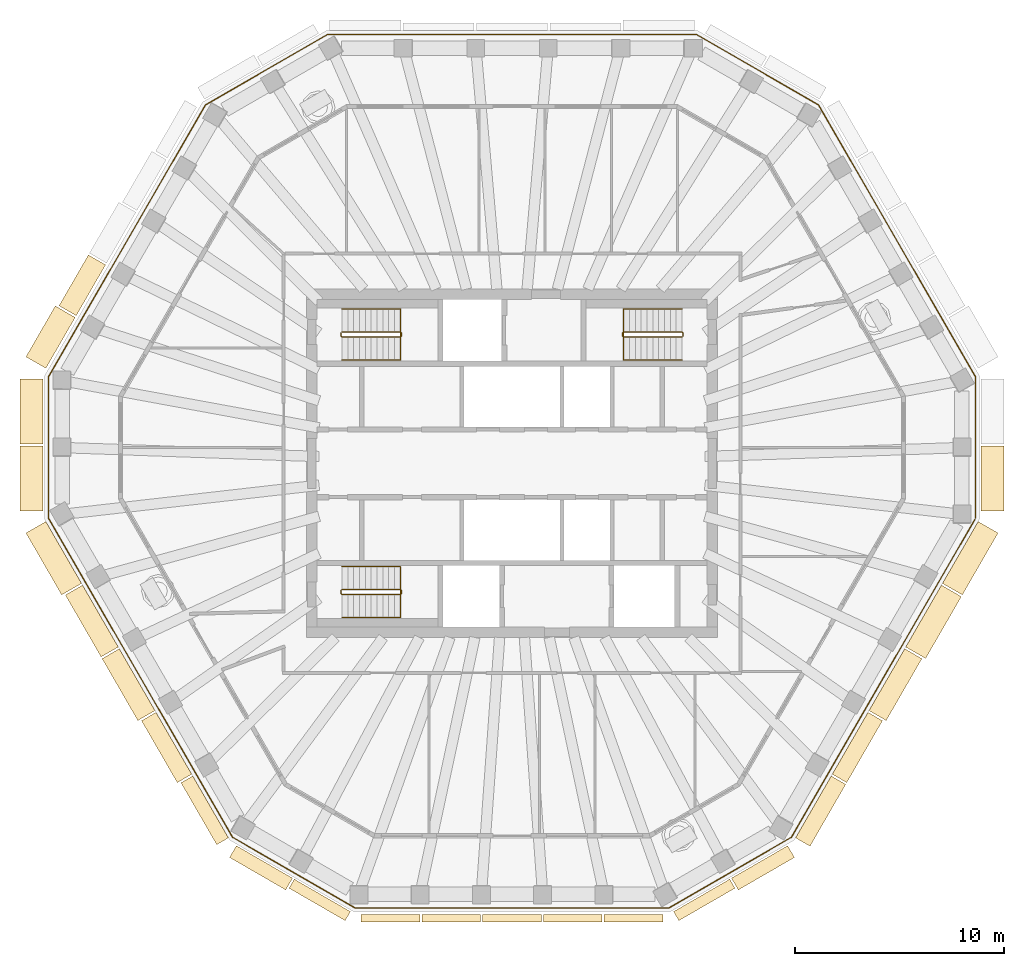
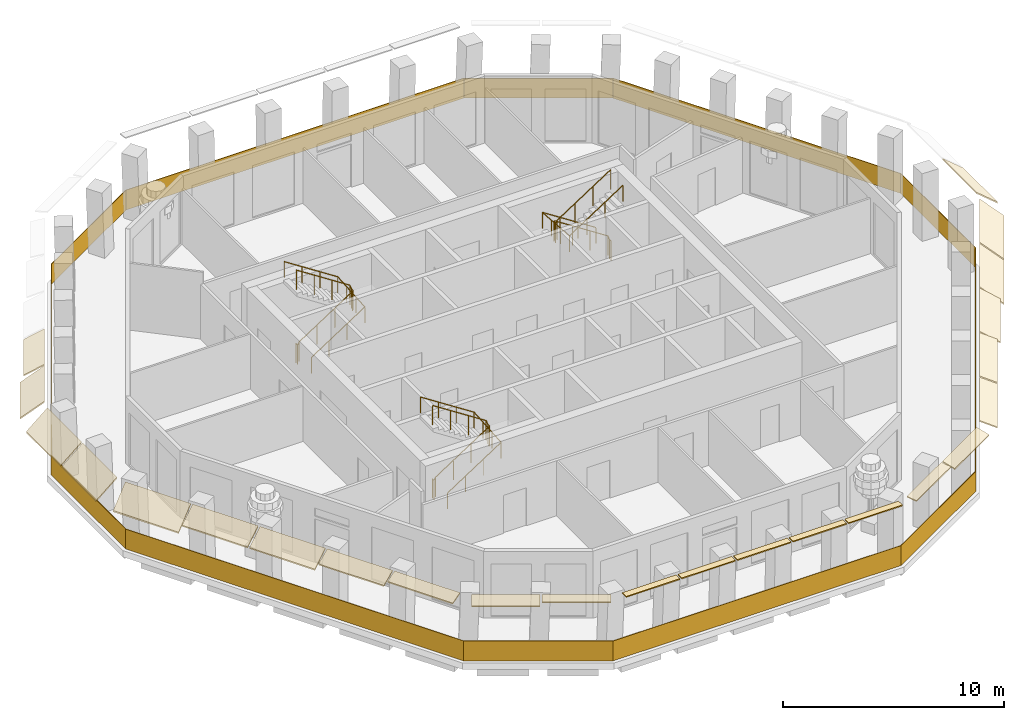
# One storey, part 8 of 11: 24 coverings, 7 railings.
"""IFC4 building model written with IfcOpenShell, lengths in metres."""

from ifc_helpers import new_model, si_unit, direction, frame, origin, origin_2d, place, context, subcontext, project, spatial, polyline, rectangle, circle, outline, extrude, material, layer, layer_set, type_object, element, save


model = new_model("IFC4")

# Units and contexts
model_context = context("Model", 3, precision=1e-05, world=origin(), true_north=direction((0.0, 1.0)))
body_context = subcontext(model_context, "Body", "Model", "MODEL_VIEW")
ifc_project = project(units=[si_unit("LENGTHUNIT", "METRE"), si_unit("AREAUNIT", "SQUARE_METRE"), si_unit("VOLUMEUNIT", "CUBIC_METRE"), si_unit("PLANEANGLEUNIT", "RADIAN"), si_unit("MASSUNIT", "GRAM", prefix="KILO")], contexts=[model_context])

# Site, building, storey
site_placement = place(None, origin())
site = spatial("IfcSite", under=ifc_project, at=site_placement, CompositionType="ELEMENT")
building_placement = place(site_placement, origin())
building = spatial("IfcBuilding", under=site, at=building_placement, Name="Frailejon Research Tower", CompositionType="ELEMENT")
storey_placement = place(building_placement, frame((0.0, 0.0, 332.60009765625)))
storey = spatial("IfcBuildingStorey", under=building, at=storey_placement, Name="L74", CompositionType="ELEMENT", Elevation=332.60009765625)

# Coverings
ifc_material_1 = material(Name="Precast concrete C50/60", Category="concrete")
ifc_layer_1 = layer(ifc_material_1, 0.06005859375)
ifc_layer_set_1 = layer_set([ifc_layer_1], Name="Brim blade depth 1100")
covering_type_1 = type_object("IfcCoveringType", Name="Brim blade depth 1100", PredefinedType="CLADDING", material=ifc_layer_set_1)
covering_1_placement = place(storey_placement, frame((22.485595703125, 0.829833984375, 3.849853515625), z_axis=(0.0, -1.0, 0.0), x_axis=(1.0, 0.0, 0.0)))
element("IfcCovering", 1, at=covering_1_placement, inside=storey, type_object=covering_type_1, Name="Brim blade L74", PredefinedType="CLADDING", context=body_context, shape_type="SweptSolid", body=[
    extrude(outline(polyline([(0.0, -0.078369140625), (1.10009765625, -1.001220703125), (1.10009765625, -0.923095703125), (0.0, 0.0), (0.0, -0.078369140625)])), origin(), (0.0, 0.0, 1.0), 3.10595703125),
])
covering_2_placement = place(storey_placement, frame((-22.3466796875, 4.55419921875, 3.849853515625), z_axis=(0.499988037973, 0.866032309954, 0.0), x_axis=(-0.866032309954, 0.499988037973, 0.0)))
element("IfcCovering", 2, at=covering_2_placement, inside=storey, type_object=covering_type_1, Name="Brim blade L74", PredefinedType="CLADDING", context=body_context, shape_type="SweptSolid", body=[
    extrude(outline(polyline([(0.0, -0.078369140625), (1.10009765625, -1.001220703125), (1.10009765625, -0.923095703125), (0.0, 0.0), (0.0, -0.078369140625)])), origin(), (0.0, 0.0, 1.0), 2.811767578125),
])
covering_3_placement = place(storey_placement, frame((-22.485595703125, 0.929931640625, 3.849853515625), z_axis=(0.0, 1.0, 0.0), x_axis=(-1.0, 0.0, 0.0)))
element("IfcCovering", 3, at=covering_3_placement, inside=storey, type_object=covering_type_1, Name="Brim blade L74", PredefinedType="CLADDING", context=body_context, shape_type="SweptSolid", body=[
    extrude(outline(polyline([(0.0, -0.078369140625), (1.10009765625, -1.001220703125), (1.10009765625, -0.923095703125), (0.0, 0.0), (0.0, -0.078369140625)])), origin(), (0.0, 0.0, 1.0), 3.106201171875),
])
covering_4_placement = place(storey_placement, frame((-22.485595703125, -2.276123046875, 3.849853515625), z_axis=(0.0, 1.0, 0.0), x_axis=(-1.0, 0.0, 0.0)))
element("IfcCovering", 4, at=covering_4_placement, inside=storey, type_object=covering_type_1, Name="Brim blade L74", PredefinedType="CLADDING", context=body_context, shape_type="SweptSolid", body=[
    extrude(outline(polyline([(0.0, -0.078369140625), (1.10009765625, -1.001220703125), (1.10009765625, -0.923095703125), (0.0, 0.0), (0.0, -0.078369140625)])), origin(), (0.0, 0.0, 1.0), 3.10595703125),
])
for number, where, z_axis, x_axis, name in (
    (5, (-20.635986328125, -5.75732421875, 3.849853515625), (-0.49998138882, 0.866036148688, 0.0), (-0.866036148688, -0.49998138882, 0.0), "Brim blade L74"),
    (6, (20.5859375, -5.843994140625, 3.849853515625), (-0.500014985008, -0.866016752013, 0.0), (0.866016752013, -0.500014985008, 0.0), "Brim blade L74"),
    (7, (22.3466796875, -2.79443359375, 3.849853515625), (-0.49998138882, -0.866036148688, 0.0), (0.866036148688, -0.49998138882, 0.0), "Brim blade L74"),
):
    element("IfcCovering", number, at=place(storey_placement, frame(where, z_axis=z_axis, x_axis=x_axis)), inside=storey, type_object=covering_type_1, Name=name, PredefinedType="CLADDING", context=body_context, shape_type="SweptSolid", body=[
        extrude(outline(polyline([(0.0, -0.078369140625), (1.10009765625, -1.001220703125), (1.10009765625, -0.923095703125), (0.0, 0.0), (0.0, -0.078369140625)])), origin(), (0.0, 0.0, 1.0), 3.42138671875),
    ])
ifc_material_2 = material(Name="Precast concrete C50/60", Category="concrete")
ifc_layer_2 = layer(ifc_material_2, 0.06005859375)
ifc_layer_set_2 = layer_set([ifc_layer_2], Name="Brim blade depth 350")
covering_type_2 = type_object("IfcCoveringType", Name="Brim blade depth 350", PredefinedType="CLADDING", material=ifc_layer_set_2)
for number, where, z_axis, x_axis, name in (
    (8, (-4.41748046875, -21.6298828125, 3.849853515625), (-1.0, 0.0, 0.0), (0.0, -1.0, 0.0), "Brim blade L74"),
    (9, (-1.505859375, -21.6298828125, 3.849853515625), (-1.0, 0.0, 0.0), (0.0, -1.0, 0.0), "Brim blade L74"),
):
    element("IfcCovering", number, at=place(storey_placement, frame(where, z_axis=z_axis, x_axis=x_axis)), inside=storey, type_object=covering_type_2, Name=name, PredefinedType="CLADDING", context=body_context, shape_type="SweptSolid", body=[
        extrude(outline(polyline([(0.0, -0.06005859375), (0.35009765625, -0.06005859375), (0.35009765625, 0.0), (0.0, 0.0), (0.0, -0.06005859375)])), origin(), (0.0, 0.0, 1.0), 2.811767578125),
    ])
covering_5_placement = place(storey_placement, frame((1.40576171875, -21.6298828125, 3.849853515625), z_axis=(-1.0, 0.0, 0.0), x_axis=(0.0, -1.0, 0.0)))
element("IfcCovering", 10, at=covering_5_placement, inside=storey, type_object=covering_type_2, Name="Brim blade L74", PredefinedType="CLADDING", context=body_context, shape_type="SweptSolid", body=[
    extrude(outline(polyline([(0.0, -0.06005859375), (0.35009765625, -0.06005859375), (0.35009765625, 0.0), (0.0, 0.0), (0.0, -0.06005859375)])), origin(), (0.0, 0.0, 1.0), 2.8115234375),
])
for number, where, z_axis, x_axis, name in (
    (11, (4.3173828125, -21.6298828125, 3.849853515625), (-1.0, 0.0, 0.0), (0.0, -1.0, 0.0), "Brim blade L74"),
    (12, (7.229248046875, -21.6298828125, 3.849853515625), (-1.0, 0.0, 0.0), (0.0, -1.0, 0.0), "Brim blade L74"),
):
    element("IfcCovering", number, at=place(storey_placement, frame(where, z_axis=z_axis, x_axis=x_axis)), inside=storey, type_object=covering_type_2, Name=name, PredefinedType="CLADDING", context=body_context, shape_type="SweptSolid", body=[
        extrude(outline(polyline([(0.0, -0.06005859375), (0.35009765625, -0.06005859375), (0.35009765625, 0.0), (0.0, 0.0), (0.0, -0.06005859375)])), origin(), (0.0, 0.0, 1.0), 2.811767578125),
    ])
ifc_material_3 = material(Name="Precast concrete C50/60", Category="concrete")
ifc_layer_3 = layer(ifc_material_3, 0.06005859375)
ifc_layer_set_3 = layer_set([ifc_layer_3], Name="Brim blade depth 500")
covering_type_3 = type_object("IfcCoveringType", Name="Brim blade depth 500", PredefinedType="CLADDING", material=ifc_layer_set_3)
for number, where, z_axis, x_axis, name in (
    (13, (-7.74755859375, -21.490966796875, 3.849853515625), (-0.86602716254, 0.499996953734, 0.0), (-0.499996953734, -0.86602716254, 0.0), "Brim blade L74"),
    (14, (10.4375, -19.93798828125, 3.849853515625), (-0.86602716254, -0.499996953734, 0.0), (0.499996953734, -0.86602716254, 0.0), "Brim blade L74"),
):
    element("IfcCovering", number, at=place(storey_placement, frame(where, z_axis=z_axis, x_axis=x_axis)), inside=storey, type_object=covering_type_3, Name=name, PredefinedType="CLADDING", context=body_context, shape_type="SweptSolid", body=[
        extrude(outline(polyline([(0.0, -0.060546875), (0.5, -0.130859375), (0.5, -0.0703125), (0.0, 0.0), (0.0, -0.060546875)])), origin(), (0.0, 0.0, 1.0), 3.10595703125),
    ])
ifc_material_4 = material(Name="Precast concrete C50/60", Category="concrete")
ifc_layer_4 = layer(ifc_material_4, 0.06005859375)
ifc_layer_set_4 = layer_set([ifc_layer_4], Name="Brim blade depth 650")
covering_type_4 = type_object("IfcCoveringType", Name="Brim blade depth 650", PredefinedType="CLADDING", material=ifc_layer_set_4)
covering_6_placement = place(storey_placement, frame((-13.593505859375, -17.95556640625, 3.849853515625), z_axis=(-0.49998138882, 0.866036148688, 0.0), x_axis=(-0.866036148688, -0.49998138882, 0.0)))
element("IfcCovering", 15, at=covering_6_placement, inside=storey, type_object=covering_type_4, Name="Brim blade L74", PredefinedType="CLADDING", context=body_context, shape_type="SweptSolid", body=[
    extrude(outline(polyline([(0.0, -0.0625), (0.64990234375, -0.248779296875), (0.64990234375, -0.186279296875), (0.0, 0.0), (0.0, -0.0625)])), origin(), (0.0, 0.0, 1.0), 3.42138671875),
])
for number, where, z_axis, x_axis, name in (
    (16, (-10.52392578125, -19.887939453125, 3.849853515625), (-0.866034959906, 0.499983447946, 0.0), (-0.499983447946, -0.866034959906, 0.0), "Brim blade L74"),
    (17, (13.214111328125, -18.3349609375, 3.849853515625), (-0.866034959906, -0.499983447946, 0.0), (0.499983447946, -0.866034959906, 0.0), "Brim blade L74"),
):
    element("IfcCovering", number, at=place(storey_placement, frame(where, z_axis=z_axis, x_axis=x_axis)), inside=storey, type_object=covering_type_4, Name=name, PredefinedType="CLADDING", context=body_context, shape_type="SweptSolid", body=[
        extrude(outline(polyline([(0.0, -0.0625), (0.64990234375, -0.248779296875), (0.64990234375, -0.186279296875), (0.0, 0.0), (0.0, -0.0625)])), origin(), (0.0, 0.0, 1.0), 3.106201171875),
    ])
ifc_material_5 = material(Name="Precast concrete C50/60", Category="concrete")
ifc_layer_5 = layer(ifc_material_5, 0.06005859375)
ifc_layer_set_5 = layer_set([ifc_layer_5], Name="Brim blade depth 800")
covering_type_5 = type_object("IfcCoveringType", Name="Brim blade depth 800", PredefinedType="CLADDING", material=ifc_layer_set_5)
for number, where, z_axis, x_axis, name in (
    (18, (-15.35400390625, -14.906005859375, 3.849853515625), (-0.500014985008, 0.866016752013, 0.0), (-0.866016752013, -0.500014985008, 0.0), "Brim blade L74"),
    (19, (15.303955078125, -14.99267578125, 3.849853515625), (-0.49998138882, -0.866036148688, 0.0), (0.866036148688, -0.49998138882, 0.0), "Brim blade L74"),
    (20, (17.064697265625, -11.943115234375, 3.849853515625), (-0.500014985008, -0.866016752013, 0.0), (0.866016752013, -0.500014985008, 0.0), "Brim blade L74"),
):
    element("IfcCovering", number, at=place(storey_placement, frame(where, z_axis=z_axis, x_axis=x_axis)), inside=storey, type_object=covering_type_5, Name=name, PredefinedType="CLADDING", context=body_context, shape_type="SweptSolid", body=[
        extrude(outline(polyline([(0.0, -0.065673828125), (0.800048828125, -0.421875), (0.800048828125, -0.356201171875), (0.0, 0.0), (0.0, -0.065673828125)])), origin(), (0.0, 0.0, 1.0), 3.42138671875),
    ])
ifc_material_6 = material(Name="Precast concrete C50/60", Category="concrete")
ifc_layer_6 = layer(ifc_material_6, 0.06005859375)
ifc_layer_set_6 = layer_set([ifc_layer_6], Name="Brim blade depth 950")
covering_type_6 = type_object("IfcCoveringType", Name="Brim blade depth 950", PredefinedType="CLADDING", material=ifc_layer_set_6)
covering_7_placement = place(storey_placement, frame((-20.890869140625, 7.075927734375, 3.849853515625), z_axis=(0.499988037973, 0.866032309954, 0.0), x_axis=(-0.866032309954, 0.499988037973, 0.0)))
element("IfcCovering", 21, at=covering_7_placement, inside=storey, type_object=covering_type_6, Name="Brim blade L74", PredefinedType="CLADDING", context=body_context, shape_type="SweptSolid", body=[
    extrude(outline(polyline([(0.0, -0.07080078125), (0.949951171875, -0.664306640625), (0.949951171875, -0.593505859375), (0.0, 0.0), (0.0, -0.07080078125)])), origin(), (0.0, 0.0, 1.0), 2.811767578125),
])
for number, where, z_axis, x_axis, name in (
    (22, (-18.875244140625, -8.806884765625, 3.849853515625), (-0.500014985008, 0.866016752013, 0.0), (-0.866016752013, -0.500014985008, 0.0), "Brim blade L74"),
    (23, (-17.11474609375, -11.8564453125, 3.849853515625), (-0.49998138882, 0.866036148688, 0.0), (-0.866036148688, -0.49998138882, 0.0), "Brim blade L74"),
    (24, (18.8251953125, -8.8935546875, 3.849853515625), (-0.49998138882, -0.866036148688, 0.0), (0.866036148688, -0.49998138882, 0.0), "Brim blade L74"),
):
    element("IfcCovering", number, at=place(storey_placement, frame(where, z_axis=z_axis, x_axis=x_axis)), inside=storey, type_object=covering_type_6, Name=name, PredefinedType="CLADDING", context=body_context, shape_type="SweptSolid", body=[
        extrude(outline(polyline([(0.0, -0.07080078125), (0.949951171875, -0.664306640625), (0.949951171875, -0.593505859375), (0.0, 0.0), (0.0, -0.07080078125)])), origin(), (0.0, 0.0, 1.0), 3.42138671875),
    ])

# Railings
ifc_material_7 = material(Name="Laminated glass balustrade", Category="glass")
railing_type_1 = type_object("IfcRailingType", Name="Glass guard 1100", PredefinedType="GUARDRAIL", material=ifc_material_7)
railing_1_placement = place(storey_placement, frame((22.22412109375, -2.62890625, 0.0)))
element("IfcRailing", 25, at=railing_1_placement, inside=storey, type_object=railing_type_1, Name="Loggia guard L74", PredefinedType="GUARDRAIL", context=body_context, shape_type="SweptSolid", body=[
    extrude(rectangle(XDim=6.766357421875, YDim=0.030029296875, at=origin_2d()), frame((0.0, 3.38330078125, 0.0), z_axis=(0.0, 0.0, 1.0), x_axis=(0.0, 1.0, 0.0)), (0.0, 0.0, 1.0), 1.10009765625),
    extrude(rectangle(XDim=15.057861328125, YDim=0.030029296875, at=origin_2d()), frame((-3.764404296875, 13.28662109375, 0.0), z_axis=(0.0, 0.0, 1.0), x_axis=(-0.49999285859, 0.86602952684, 0.0)), (0.0, 0.0, 1.0), 1.10009765625),
    extrude(rectangle(XDim=6.7666015625, YDim=0.030029296875, at=origin_2d()), frame((-10.458984375, 21.49853515625, 0.0), z_axis=(0.0, 0.0, 1.0), x_axis=(-0.866043190618, 0.499969191034, 0.0)), (0.0, 0.0, 1.0), 1.10009765625),
    extrude(rectangle(XDim=17.67041015625, YDim=0.030029296875, at=origin_2d()), frame((-22.22412109375, 23.18994140625, 0.0), z_axis=(0.0, 0.0, 1.0), x_axis=(-1.0, 0.0, 0.0)), (0.0, 0.0, 1.0), 1.10009765625),
    extrude(rectangle(XDim=6.7666015625, YDim=0.030029296875, at=origin_2d()), frame((-33.9892578125, 21.49853515625, 0.0), z_axis=(0.0, 0.0, 1.0), x_axis=(-0.866043190618, -0.499969191034, 0.0)), (0.0, 0.0, 1.0), 1.10009765625),
    extrude(rectangle(XDim=15.057861328125, YDim=0.030029296875, at=origin_2d()), frame((-40.683837890625, 13.28662109375, 0.0), z_axis=(0.0, 0.0, 1.0), x_axis=(-0.49999285859, -0.86602952684, 0.0)), (0.0, 0.0, 1.0), 1.10009765625),
    extrude(rectangle(XDim=6.766357421875, YDim=0.030029296875, at=origin_2d()), frame((-44.4482421875, 3.38330078125, 0.0), z_axis=(0.0, 0.0, 1.0), x_axis=(0.0, -1.0, 0.0)), (0.0, 0.0, 1.0), 1.10009765625),
    extrude(rectangle(XDim=17.670654296875, YDim=0.030029296875, at=origin_2d()), frame((-40.03076171875, -7.651611328125, 0.0), z_axis=(0.0, 0.0, 1.0), x_axis=(0.499995134196, -0.866028213039, 0.0)), (0.0, 0.0, 1.0), 1.10009765625),
    extrude(rectangle(XDim=6.7666015625, YDim=0.030029296875, at=origin_2d()), frame((-32.68310546875, -16.994873046875, 0.0), z_axis=(0.0, 0.0, 1.0), x_axis=(0.866027567751, -0.499996251881, 0.0)), (0.0, 0.0, 1.0), 1.10009765625),
    extrude(rectangle(XDim=15.0576171875, YDim=0.030029296875, at=origin_2d()), frame((-22.22412109375, -18.6865234375, 0.0), z_axis=(0.0, 0.0, 1.0), x_axis=(1.0, 0.0, 0.0)), (0.0, 0.0, 1.0), 1.10009765625),
    extrude(rectangle(XDim=6.7666015625, YDim=0.030029296875, at=origin_2d()), frame((-11.76513671875, -16.994873046875, 0.0), z_axis=(0.0, 0.0, 1.0), x_axis=(0.866027567751, 0.499996251881, 0.0)), (0.0, 0.0, 1.0), 1.10009765625),
    extrude(rectangle(XDim=17.6005859375, YDim=0.030029296875, at=origin_2d()), frame((-4.43505859375, -7.68212890625, 0.0), z_axis=(0.0, 0.0, 1.0), x_axis=(0.50000302369, 0.866023658049, 0.0)), (0.0, 0.0, 1.0), 1.10009765625),
])
ifc_material_8 = material(Name="Stainless steel", Category="steel")
railing_type_2 = type_object("IfcRailingType", Name="Stair guard 1100", PredefinedType="GUARDRAIL", material=ifc_material_8)
railing_2_placement = place(storey_placement, frame((-8.199951171875, 6.25, 0.0)))
element("IfcRailing", 26, at=railing_2_placement, inside=storey, type_object=railing_type_2, Name="L74 ST1 stair guard 1", PredefinedType="GUARDRAIL", context=body_context, shape_type="SweptSolid", body=[
    extrude(circle(Radius=0.02392578125, at=origin_2d()), frame((0.0, 0.0, 1.076171875), z_axis=(0.0, -1.0, 0.0), x_axis=(1.0, 0.0, 0.0)), (0.0, 0.0, 1.0), 0.14990234375),
    extrude(circle(Radius=0.02392578125, at=origin_2d()), frame((0.0, -0.14990234375, 1.076171875), z_axis=(0.256734642926, -0.256734642926, 0.931758899203), x_axis=(0.707106781187, 0.707106781187, 0.0)), (0.0, 0.0, 1.0), 0.19482421875),
    extrude(circle(Radius=0.02392578125, at=origin_2d()), frame((0.050048828125, -0.199951171875, 1.2578125), z_axis=(0.838650734948, 0.0, 0.544669573936), x_axis=(0.0, 1.0, 0.0)), (0.0, 0.0, 1.0), 3.33837890625),
    extrude(circle(Radius=0.02392578125, at=origin_2d()), frame((2.849853515625, -0.199951171875, 3.076171875), z_axis=(0.707106781187, 0.707106781187, 0.0), x_axis=(-0.707106781187, 0.707106781187, 0.0)), (0.0, 0.0, 1.0), 0.07080078125),
    extrude(circle(Radius=0.02392578125, at=origin_2d()), frame((2.89990234375, -0.14990234375, 3.076171875), z_axis=(0.0, 1.0, 0.0), x_axis=(-1.0, 0.0, 0.0)), (0.0, 0.0, 1.0), 0.14990234375),
    extrude(circle(Radius=0.02392578125, at=origin_2d()), frame((2.89990234375, 0.0, 3.076171875), z_axis=(-0.256734642926, 0.256734642926, 0.931758899203), x_axis=(-0.707106781187, -0.707106781187, 0.0)), (0.0, 0.0, 1.0), 0.19482421875),
    extrude(circle(Radius=0.02392578125, at=origin_2d()), frame((2.849853515625, 0.050048828125, 3.2578125), z_axis=(-0.838650734948, 0.0, 0.544669573936), x_axis=(0.0, -1.0, 0.0)), (0.0, 0.0, 1.0), 3.33837890625),
    extrude(circle(Radius=0.02099609375, at=origin_2d()), origin(), (0.0, 0.0, 1.0), 1.052001953125),
    extrude(circle(Radius=0.02099609375, at=origin_2d()), frame((0.0, -0.14990234375, 0.0)), (0.0, 0.0, 1.0), 1.052001953125),
    extrude(circle(Radius=0.02099609375, at=origin_2d()), frame((0.050048828125, -0.199951171875, 0.181640625)), (0.0, 0.0, 1.0), 1.052001953125),
    extrude(circle(Radius=0.02099609375, at=origin_2d()), frame((0.9833984375, -0.199951171875, 0.787841796875)), (0.0, 0.0, 1.0), 1.052001953125),
    extrude(circle(Radius=0.02099609375, at=origin_2d()), frame((1.91650390625, -0.199951171875, 1.393798828125)), (0.0, 0.0, 1.0), 1.052001953125),
    extrude(circle(Radius=0.02099609375, at=origin_2d()), frame((2.849853515625, -0.199951171875, 2.0)), (0.0, 0.0, 1.0), 1.052001953125),
    extrude(circle(Radius=0.02099609375, at=origin_2d()), frame((2.89990234375, -0.14990234375, 2.0)), (0.0, 0.0, 1.0), 1.052001953125),
    extrude(circle(Radius=0.02099609375, at=origin_2d()), frame((2.89990234375, 0.0, 2.0)), (0.0, 0.0, 1.0), 1.052001953125),
    extrude(circle(Radius=0.02099609375, at=origin_2d()), frame((2.849853515625, 0.050048828125, 2.181640625)), (0.0, 0.0, 1.0), 1.052001953125),
    extrude(circle(Radius=0.02099609375, at=origin_2d()), frame((1.91650390625, 0.050048828125, 2.787841796875)), (0.0, 0.0, 1.0), 1.052001953125),
    extrude(circle(Radius=0.02099609375, at=origin_2d()), frame((0.9833984375, 0.050048828125, 3.393798828125)), (0.0, 0.0, 1.0), 1.052001953125),
    extrude(circle(Radius=0.02099609375, at=origin_2d()), frame((0.050048828125, 0.050048828125, 4.0)), (0.0, 0.0, 1.0), 1.052001953125),
])
railing_3_placement = place(storey_placement, frame((-8.199951171875, -6.10009765625, 0.0)))
element("IfcRailing", 27, at=railing_3_placement, inside=storey, type_object=railing_type_2, Name="L74 ST2 stair guard 1", PredefinedType="GUARDRAIL", context=body_context, shape_type="SweptSolid", body=[
    extrude(circle(Radius=0.02392578125, at=origin_2d()), frame((0.0, 0.0, 1.076171875), z_axis=(0.0, -1.0, 0.0), x_axis=(1.0, 0.0, 0.0)), (0.0, 0.0, 1.0), 0.14990234375),
    extrude(circle(Radius=0.02392578125, at=origin_2d()), frame((0.0, -0.14990234375, 1.076171875), z_axis=(0.256734642926, -0.256734642926, 0.931758899203), x_axis=(0.707106781187, 0.707106781187, 0.0)), (0.0, 0.0, 1.0), 0.19482421875),
    extrude(circle(Radius=0.02392578125, at=origin_2d()), frame((0.050048828125, -0.199951171875, 1.2578125), z_axis=(0.838650734948, 0.0, 0.544669573936), x_axis=(0.0, 1.0, 0.0)), (0.0, 0.0, 1.0), 3.33837890625),
    extrude(circle(Radius=0.02392578125, at=origin_2d()), frame((2.849853515625, -0.199951171875, 3.076171875), z_axis=(0.707106781187, 0.707106781187, 0.0), x_axis=(-0.707106781187, 0.707106781187, 0.0)), (0.0, 0.0, 1.0), 0.07080078125),
    extrude(circle(Radius=0.02392578125, at=origin_2d()), frame((2.89990234375, -0.14990234375, 3.076171875), z_axis=(0.0, 1.0, 0.0), x_axis=(-1.0, 0.0, 0.0)), (0.0, 0.0, 1.0), 0.14990234375),
    extrude(circle(Radius=0.02392578125, at=origin_2d()), frame((2.89990234375, 0.0, 3.076171875), z_axis=(-0.256734642926, 0.256734642926, 0.931758899203), x_axis=(-0.707106781187, -0.707106781187, 0.0)), (0.0, 0.0, 1.0), 0.19482421875),
    extrude(circle(Radius=0.02392578125, at=origin_2d()), frame((2.849853515625, 0.050048828125, 3.2578125), z_axis=(-0.838650734948, 0.0, 0.544669573936), x_axis=(0.0, -1.0, 0.0)), (0.0, 0.0, 1.0), 3.33837890625),
    extrude(circle(Radius=0.02099609375, at=origin_2d()), origin(), (0.0, 0.0, 1.0), 1.052001953125),
    extrude(circle(Radius=0.02099609375, at=origin_2d()), frame((0.0, -0.14990234375, 0.0)), (0.0, 0.0, 1.0), 1.052001953125),
    extrude(circle(Radius=0.02099609375, at=origin_2d()), frame((0.050048828125, -0.199951171875, 0.181640625)), (0.0, 0.0, 1.0), 1.052001953125),
    extrude(circle(Radius=0.02099609375, at=origin_2d()), frame((0.9833984375, -0.199951171875, 0.787841796875)), (0.0, 0.0, 1.0), 1.052001953125),
    extrude(circle(Radius=0.02099609375, at=origin_2d()), frame((1.91650390625, -0.199951171875, 1.393798828125)), (0.0, 0.0, 1.0), 1.052001953125),
    extrude(circle(Radius=0.02099609375, at=origin_2d()), frame((2.849853515625, -0.199951171875, 2.0)), (0.0, 0.0, 1.0), 1.052001953125),
    extrude(circle(Radius=0.02099609375, at=origin_2d()), frame((2.89990234375, -0.14990234375, 2.0)), (0.0, 0.0, 1.0), 1.052001953125),
    extrude(circle(Radius=0.02099609375, at=origin_2d()), frame((2.89990234375, 0.0, 2.0)), (0.0, 0.0, 1.0), 1.052001953125),
    extrude(circle(Radius=0.02099609375, at=origin_2d()), frame((2.849853515625, 0.050048828125, 2.181640625)), (0.0, 0.0, 1.0), 1.052001953125),
    extrude(circle(Radius=0.02099609375, at=origin_2d()), frame((1.91650390625, 0.050048828125, 2.787841796875)), (0.0, 0.0, 1.0), 1.052001953125),
    extrude(circle(Radius=0.02099609375, at=origin_2d()), frame((0.9833984375, 0.050048828125, 3.393798828125)), (0.0, 0.0, 1.0), 1.052001953125),
    extrude(circle(Radius=0.02099609375, at=origin_2d()), frame((0.050048828125, 0.050048828125, 4.0)), (0.0, 0.0, 1.0), 1.052001953125),
])
railing_4_placement = place(storey_placement, frame((8.199951171875, 6.10009765625, 0.0)))
element("IfcRailing", 28, at=railing_4_placement, inside=storey, type_object=railing_type_2, Name="L74 ST3 stair guard 1", PredefinedType="GUARDRAIL", context=body_context, shape_type="SweptSolid", body=[
    extrude(circle(Radius=0.02392578125, at=origin_2d()), frame((0.0, 0.0, 1.076171875), z_axis=(0.0, 1.0, 0.0), x_axis=(-1.0, 0.0, 0.0)), (0.0, 0.0, 1.0), 0.14990234375),
    extrude(circle(Radius=0.02392578125, at=origin_2d()), frame((0.0, 0.14990234375, 1.076171875), z_axis=(-0.256734642926, 0.256734642926, 0.931758899203), x_axis=(-0.707106781187, -0.707106781187, 0.0)), (0.0, 0.0, 1.0), 0.19482421875),
    extrude(circle(Radius=0.02392578125, at=origin_2d()), frame((-0.050048828125, 0.199951171875, 1.2578125), z_axis=(-0.838650734948, 0.0, 0.544669573936), x_axis=(0.0, -1.0, 0.0)), (0.0, 0.0, 1.0), 3.33837890625),
    extrude(circle(Radius=0.02392578125, at=origin_2d()), frame((-2.849853515625, 0.199951171875, 3.076171875), z_axis=(-0.707106781187, -0.707106781187, 0.0), x_axis=(0.707106781187, -0.707106781187, 0.0)), (0.0, 0.0, 1.0), 0.07080078125),
    extrude(circle(Radius=0.02392578125, at=origin_2d()), frame((-2.89990234375, 0.14990234375, 3.076171875), z_axis=(0.0, -1.0, 0.0), x_axis=(1.0, 0.0, 0.0)), (0.0, 0.0, 1.0), 0.14990234375),
    extrude(circle(Radius=0.02392578125, at=origin_2d()), frame((-2.89990234375, 0.0, 3.076171875), z_axis=(0.256734642926, -0.256734642926, 0.931758899203), x_axis=(0.707106781187, 0.707106781187, 0.0)), (0.0, 0.0, 1.0), 0.19482421875),
    extrude(circle(Radius=0.02392578125, at=origin_2d()), frame((-2.849853515625, -0.050048828125, 3.2578125), z_axis=(0.838650734948, 0.0, 0.544669573936), x_axis=(0.0, 1.0, 0.0)), (0.0, 0.0, 1.0), 3.33837890625),
    extrude(circle(Radius=0.02099609375, at=origin_2d()), origin(), (0.0, 0.0, 1.0), 1.052001953125),
    extrude(circle(Radius=0.02099609375, at=origin_2d()), frame((0.0, 0.14990234375, 0.0)), (0.0, 0.0, 1.0), 1.052001953125),
    extrude(circle(Radius=0.02099609375, at=origin_2d()), frame((-0.050048828125, 0.199951171875, 0.181640625)), (0.0, 0.0, 1.0), 1.052001953125),
    extrude(circle(Radius=0.02099609375, at=origin_2d()), frame((-0.9833984375, 0.199951171875, 0.787841796875)), (0.0, 0.0, 1.0), 1.052001953125),
    extrude(circle(Radius=0.02099609375, at=origin_2d()), frame((-1.91650390625, 0.199951171875, 1.393798828125)), (0.0, 0.0, 1.0), 1.052001953125),
    extrude(circle(Radius=0.02099609375, at=origin_2d()), frame((-2.849853515625, 0.199951171875, 2.0)), (0.0, 0.0, 1.0), 1.052001953125),
    extrude(circle(Radius=0.02099609375, at=origin_2d()), frame((-2.89990234375, 0.14990234375, 2.0)), (0.0, 0.0, 1.0), 1.052001953125),
    extrude(circle(Radius=0.02099609375, at=origin_2d()), frame((-2.89990234375, 0.0, 2.0)), (0.0, 0.0, 1.0), 1.052001953125),
    extrude(circle(Radius=0.02099609375, at=origin_2d()), frame((-2.849853515625, -0.050048828125, 2.181640625)), (0.0, 0.0, 1.0), 1.052001953125),
    extrude(circle(Radius=0.02099609375, at=origin_2d()), frame((-1.91650390625, -0.050048828125, 2.787841796875)), (0.0, 0.0, 1.0), 1.052001953125),
    extrude(circle(Radius=0.02099609375, at=origin_2d()), frame((-0.9833984375, -0.050048828125, 3.393798828125)), (0.0, 0.0, 1.0), 1.052001953125),
    extrude(circle(Radius=0.02099609375, at=origin_2d()), frame((-0.050048828125, -0.050048828125, 4.0)), (0.0, 0.0, 1.0), 1.052001953125),
])
ifc_material_9 = material(Name="Stainless steel", Category="steel")
railing_type_3 = type_object("IfcRailingType", Name="Stair handrail 900", PredefinedType="HANDRAIL", material=ifc_material_9)
railing_5_placement = place(storey_placement, frame((-8.14990234375, 4.949951171875, 0.181640625)))
element("IfcRailing", 29, at=railing_5_placement, inside=storey, type_object=railing_type_3, Name="L74 ST1 stair handrail 1", PredefinedType="HANDRAIL", context=body_context, shape_type="SweptSolid", body=[
    extrude(circle(Radius=0.02392578125, at=origin_2d()), frame((0.0, 0.0, 0.8759765625), z_axis=(0.838650734948, 0.0, 0.544669573936), x_axis=(0.0, 1.0, 0.0)), (0.0, 0.0, 1.0), 3.33837890625),
    extrude(circle(Radius=0.02392578125, at=origin_2d()), frame((2.7998046875, 0.0, 2.6943359375), z_axis=(0.0, 0.997262871482, 0.073937576122), x_axis=(-1.0, 0.0, 0.0)), (0.0, 0.0, 1.0), 2.456787109375),
    extrude(circle(Radius=0.02392578125, at=origin_2d()), frame((2.7998046875, 2.449951171875, 2.8759765625), z_axis=(-0.838650734948, 0.0, 0.544669573936), x_axis=(0.0, -1.0, 0.0)), (0.0, 0.0, 1.0), 3.33837890625),
    extrude(circle(Radius=0.02099609375, at=origin_2d()), origin(), (0.0, 0.0, 1.0), 0.851806640625),
    extrude(circle(Radius=0.02099609375, at=origin_2d()), frame((0.933349609375, 0.0, 0.606201171875)), (0.0, 0.0, 1.0), 0.851806640625),
    extrude(circle(Radius=0.02099609375, at=origin_2d()), frame((1.866455078125, 0.0, 1.212158203125)), (0.0, 0.0, 1.0), 0.851806640625),
    extrude(circle(Radius=0.02099609375, at=origin_2d()), frame((2.7998046875, 0.0, 1.818359375)), (0.0, 0.0, 1.0), 0.851806640625),
    extrude(circle(Radius=0.02099609375, at=origin_2d()), frame((2.7998046875, 0.816650390625, 1.87890625)), (0.0, 0.0, 1.0), 0.851806640625),
    extrude(circle(Radius=0.02099609375, at=origin_2d()), frame((2.7998046875, 1.63330078125, 1.939453125)), (0.0, 0.0, 1.0), 0.851806640625),
    extrude(circle(Radius=0.02099609375, at=origin_2d()), frame((2.7998046875, 2.449951171875, 2.0)), (0.0, 0.0, 1.0), 0.851806640625),
    extrude(circle(Radius=0.02099609375, at=origin_2d()), frame((1.866455078125, 2.449951171875, 2.606201171875)), (0.0, 0.0, 1.0), 0.851806640625),
    extrude(circle(Radius=0.02099609375, at=origin_2d()), frame((0.933349609375, 2.449951171875, 3.212158203125)), (0.0, 0.0, 1.0), 0.851806640625),
    extrude(circle(Radius=0.02099609375, at=origin_2d()), frame((0.0, 2.449951171875, 3.818359375)), (0.0, 0.0, 1.0), 0.851806640625),
])
railing_6_placement = place(storey_placement, frame((-8.14990234375, -7.39990234375, 0.181640625)))
element("IfcRailing", 30, at=railing_6_placement, inside=storey, type_object=railing_type_3, Name="L74 ST2 stair handrail 1", PredefinedType="HANDRAIL", context=body_context, shape_type="SweptSolid", body=[
    extrude(circle(Radius=0.02392578125, at=origin_2d()), frame((0.0, 0.0, 0.8759765625), z_axis=(0.838650734948, 0.0, 0.544669573936), x_axis=(0.0, 1.0, 0.0)), (0.0, 0.0, 1.0), 3.33837890625),
    extrude(circle(Radius=0.02392578125, at=origin_2d()), frame((2.7998046875, 0.0, 2.6943359375), z_axis=(0.0, 0.997262871482, 0.073937576122), x_axis=(-1.0, 0.0, 0.0)), (0.0, 0.0, 1.0), 2.456787109375),
    extrude(circle(Radius=0.02392578125, at=origin_2d()), frame((2.7998046875, 2.449951171875, 2.8759765625), z_axis=(-0.838650734948, 0.0, 0.544669573936), x_axis=(0.0, -1.0, 0.0)), (0.0, 0.0, 1.0), 3.33837890625),
    extrude(circle(Radius=0.02099609375, at=origin_2d()), origin(), (0.0, 0.0, 1.0), 0.851806640625),
    extrude(circle(Radius=0.02099609375, at=origin_2d()), frame((0.933349609375, 0.0, 0.606201171875)), (0.0, 0.0, 1.0), 0.851806640625),
    extrude(circle(Radius=0.02099609375, at=origin_2d()), frame((1.866455078125, 0.0, 1.212158203125)), (0.0, 0.0, 1.0), 0.851806640625),
    extrude(circle(Radius=0.02099609375, at=origin_2d()), frame((2.7998046875, 0.0, 1.818359375)), (0.0, 0.0, 1.0), 0.851806640625),
    extrude(circle(Radius=0.02099609375, at=origin_2d()), frame((2.7998046875, 0.816650390625, 1.87890625)), (0.0, 0.0, 1.0), 0.851806640625),
    extrude(circle(Radius=0.02099609375, at=origin_2d()), frame((2.7998046875, 1.63330078125, 1.939453125)), (0.0, 0.0, 1.0), 0.851806640625),
    extrude(circle(Radius=0.02099609375, at=origin_2d()), frame((2.7998046875, 2.449951171875, 2.0)), (0.0, 0.0, 1.0), 0.851806640625),
    extrude(circle(Radius=0.02099609375, at=origin_2d()), frame((1.866455078125, 2.449951171875, 2.606201171875)), (0.0, 0.0, 1.0), 0.851806640625),
    extrude(circle(Radius=0.02099609375, at=origin_2d()), frame((0.933349609375, 2.449951171875, 3.212158203125)), (0.0, 0.0, 1.0), 0.851806640625),
    extrude(circle(Radius=0.02099609375, at=origin_2d()), frame((0.0, 2.449951171875, 3.818359375)), (0.0, 0.0, 1.0), 0.851806640625),
])
railing_7_placement = place(storey_placement, frame((8.14990234375, 7.39990234375, 0.181640625)))
element("IfcRailing", 31, at=railing_7_placement, inside=storey, type_object=railing_type_3, Name="L74 ST3 stair handrail 1", PredefinedType="HANDRAIL", context=body_context, shape_type="SweptSolid", body=[
    extrude(circle(Radius=0.02392578125, at=origin_2d()), frame((0.0, 0.0, 0.8759765625), z_axis=(-0.838650734948, 0.0, 0.544669573936), x_axis=(0.0, -1.0, 0.0)), (0.0, 0.0, 1.0), 3.33837890625),
    extrude(circle(Radius=0.02392578125, at=origin_2d()), frame((-2.7998046875, 0.0, 2.6943359375), z_axis=(0.0, -0.997262871482, 0.073937576122), x_axis=(1.0, 0.0, 0.0)), (0.0, 0.0, 1.0), 2.456787109375),
    extrude(circle(Radius=0.02392578125, at=origin_2d()), frame((-2.7998046875, -2.449951171875, 2.8759765625), z_axis=(0.838650734948, 0.0, 0.544669573936), x_axis=(0.0, 1.0, 0.0)), (0.0, 0.0, 1.0), 3.33837890625),
    extrude(circle(Radius=0.02099609375, at=origin_2d()), origin(), (0.0, 0.0, 1.0), 0.851806640625),
    extrude(circle(Radius=0.02099609375, at=origin_2d()), frame((-0.933349609375, 0.0, 0.606201171875)), (0.0, 0.0, 1.0), 0.851806640625),
    extrude(circle(Radius=0.02099609375, at=origin_2d()), frame((-1.866455078125, 0.0, 1.212158203125)), (0.0, 0.0, 1.0), 0.851806640625),
    extrude(circle(Radius=0.02099609375, at=origin_2d()), frame((-2.7998046875, 0.0, 1.818359375)), (0.0, 0.0, 1.0), 0.851806640625),
    extrude(circle(Radius=0.02099609375, at=origin_2d()), frame((-2.7998046875, -0.816650390625, 1.87890625)), (0.0, 0.0, 1.0), 0.851806640625),
    extrude(circle(Radius=0.02099609375, at=origin_2d()), frame((-2.7998046875, -1.63330078125, 1.939453125)), (0.0, 0.0, 1.0), 0.851806640625),
    extrude(circle(Radius=0.02099609375, at=origin_2d()), frame((-2.7998046875, -2.449951171875, 2.0)), (0.0, 0.0, 1.0), 0.851806640625),
    extrude(circle(Radius=0.02099609375, at=origin_2d()), frame((-1.866455078125, -2.449951171875, 2.606201171875)), (0.0, 0.0, 1.0), 0.851806640625),
    extrude(circle(Radius=0.02099609375, at=origin_2d()), frame((-0.933349609375, -2.449951171875, 3.212158203125)), (0.0, 0.0, 1.0), 0.851806640625),
    extrude(circle(Radius=0.02099609375, at=origin_2d()), frame((0.0, -2.449951171875, 3.818359375)), (0.0, 0.0, 1.0), 0.851806640625),
])

save(model, "model.ifc")
